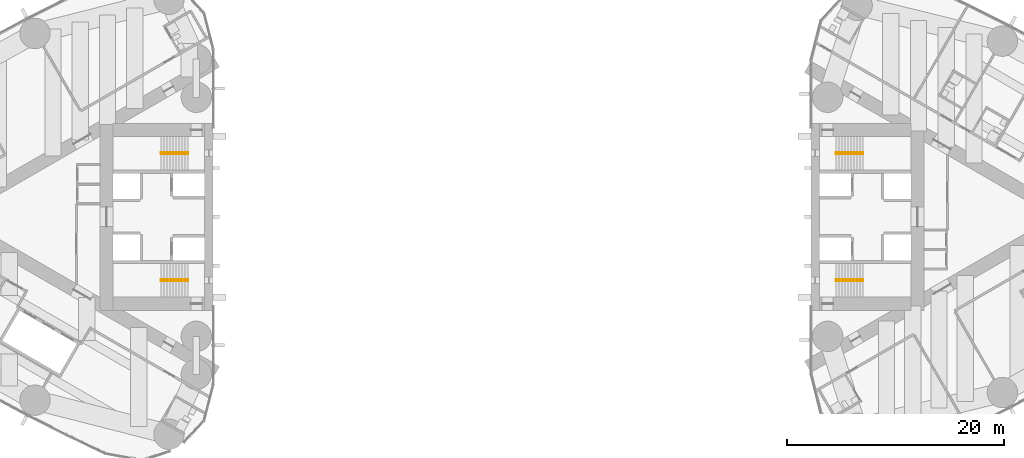
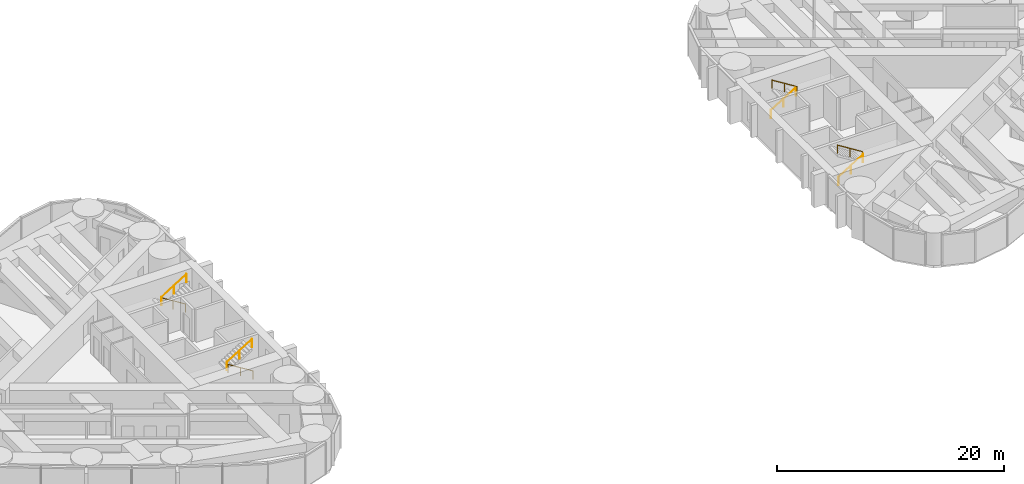
# One storey, part 17 of 18: 8 railings.
"""IFC4 building model written with IfcOpenShell, lengths in metres."""

from ifc_helpers import new_model, si_unit, direction, frame, origin, origin_2d, place, context, subcontext, project, spatial, circle, extrude, material, type_object, element, save


model = new_model("IFC4")

# Units and contexts
model_context = context("Model", 3, precision=1e-05, world=origin(), true_north=direction((0.0, 1.0)))
body_context = subcontext(model_context, "Body", "Model", "MODEL_VIEW")
ifc_project = project(units=[si_unit("LENGTHUNIT", "METRE"), si_unit("AREAUNIT", "SQUARE_METRE"), si_unit("VOLUMEUNIT", "CUBIC_METRE"), si_unit("PLANEANGLEUNIT", "RADIAN"), si_unit("MASSUNIT", "GRAM", prefix="KILO")], contexts=[model_context])

# Site, building, storey
site_placement = place(None, origin())
site = spatial("IfcSite", under=ifc_project, at=site_placement, CompositionType="ELEMENT")
building_placement = place(site_placement, origin())
building = spatial("IfcBuilding", under=site, at=building_placement, Name="Lancet Gate Hotel", CompositionType="ELEMENT")
storey_placement = place(building_placement, frame((0.0, 0.0, 166.800048828125)))
storey = spatial("IfcBuildingStorey", under=building, at=storey_placement, Name="L44", CompositionType="ELEMENT", Elevation=166.800048828125)

# Railings
ifc_material = material(Name="Stainless steel handrail", Category="steel")
railing_type = type_object("IfcRailingType", Name="Stair handrail 900", PredefinedType="HANDRAIL", material=ifc_material)
railing_1_placement = place(storey_placement, frame((-29.800048828125, 5.929931640625, 0.175048828125)))
element("IfcRailing", 1, at=railing_1_placement, inside=storey, type_object=railing_type, Name="ST1 handrail flight 1 L44", PredefinedType="HANDRAIL", context=body_context, shape_type="SweptSolid", body=[
    extrude(circle(Radius=0.02392578125, at=origin_2d()), frame((0.0, 0.0, 0.8759765625), z_axis=(-0.848007534815, 0.0, 0.529984170421), x_axis=(0.0, -1.0, 0.0)), (0.0, 0.0, 1.0), 2.9716796875),
    extrude(circle(Radius=0.02099609375, at=origin_2d()), origin(), (0.0, 0.0, 1.0), 0.851806640625),
    extrude(circle(Radius=0.02099609375, at=origin_2d()), frame((-1.260009765625, 0.0, 0.78759765625)), (0.0, 0.0, 1.0), 0.851806640625),
    extrude(circle(Radius=0.02099609375, at=origin_2d()), frame((-2.52001953125, 0.0, 1.574951171875)), (0.0, 0.0, 1.0), 0.851806640625),
])
railing_2_placement = place(storey_placement, frame((-32.320068359375, 5.77001953125, 1.925048828125)))
element("IfcRailing", 2, at=railing_2_placement, inside=storey, type_object=railing_type, Name="ST1 handrail flight 2 L44", PredefinedType="HANDRAIL", context=body_context, shape_type="SweptSolid", body=[
    extrude(circle(Radius=0.02392578125, at=origin_2d()), frame((0.0, 0.0, 0.8759765625), z_axis=(0.848007534815, 0.0, 0.529984170421), x_axis=(0.0, 1.0, 0.0)), (0.0, 0.0, 1.0), 2.9716796875),
    extrude(circle(Radius=0.02099609375, at=origin_2d()), origin(), (0.0, 0.0, 1.0), 0.851806640625),
    extrude(circle(Radius=0.02099609375, at=origin_2d()), frame((1.260009765625, 0.0, 0.78759765625)), (0.0, 0.0, 1.0), 0.851806640625),
    extrude(circle(Radius=0.02099609375, at=origin_2d()), frame((2.52001953125, 0.0, 1.574951171875)), (0.0, 0.0, 1.0), 0.851806640625),
])
railing_3_placement = place(storey_placement, frame((-29.800048828125, -5.929931640625, 0.175048828125)))
element("IfcRailing", 3, at=railing_3_placement, inside=storey, type_object=railing_type, Name="ST2 handrail flight 1 L44", PredefinedType="HANDRAIL", context=body_context, shape_type="SweptSolid", body=[
    extrude(circle(Radius=0.02392578125, at=origin_2d()), frame((0.0, 0.0, 0.8759765625), z_axis=(-0.848007534815, 0.0, 0.529984170421), x_axis=(0.0, -1.0, 0.0)), (0.0, 0.0, 1.0), 2.9716796875),
    extrude(circle(Radius=0.02099609375, at=origin_2d()), origin(), (0.0, 0.0, 1.0), 0.851806640625),
    extrude(circle(Radius=0.02099609375, at=origin_2d()), frame((-1.260009765625, 0.0, 0.78759765625)), (0.0, 0.0, 1.0), 0.851806640625),
    extrude(circle(Radius=0.02099609375, at=origin_2d()), frame((-2.52001953125, 0.0, 1.574951171875)), (0.0, 0.0, 1.0), 0.851806640625),
])
for number, where, name in (
    (4, (-32.320068359375, -5.77001953125, 1.925048828125), "ST2 handrail flight 2 L44"),
    (5, (29.800048828125, -5.929931640625, 0.175048828125), "ST3 handrail flight 1 L44"),
):
    element("IfcRailing", number, at=place(storey_placement, frame(where)), inside=storey, type_object=railing_type, Name=name, PredefinedType="HANDRAIL", context=body_context, shape_type="SweptSolid", body=[
        extrude(circle(Radius=0.02392578125, at=origin_2d()), frame((0.0, 0.0, 0.8759765625), z_axis=(0.848007534815, 0.0, 0.529984170421), x_axis=(0.0, 1.0, 0.0)), (0.0, 0.0, 1.0), 2.9716796875),
        extrude(circle(Radius=0.02099609375, at=origin_2d()), origin(), (0.0, 0.0, 1.0), 0.851806640625),
        extrude(circle(Radius=0.02099609375, at=origin_2d()), frame((1.260009765625, 0.0, 0.78759765625)), (0.0, 0.0, 1.0), 0.851806640625),
        extrude(circle(Radius=0.02099609375, at=origin_2d()), frame((2.52001953125, 0.0, 1.574951171875)), (0.0, 0.0, 1.0), 0.851806640625),
    ])
railing_4_placement = place(storey_placement, frame((32.320068359375, -5.77001953125, 1.925048828125)))
element("IfcRailing", 6, at=railing_4_placement, inside=storey, type_object=railing_type, Name="ST3 handrail flight 2 L44", PredefinedType="HANDRAIL", context=body_context, shape_type="SweptSolid", body=[
    extrude(circle(Radius=0.02392578125, at=origin_2d()), frame((0.0, 0.0, 0.8759765625), z_axis=(-0.848007534815, 0.0, 0.529984170421), x_axis=(0.0, -1.0, 0.0)), (0.0, 0.0, 1.0), 2.9716796875),
    extrude(circle(Radius=0.02099609375, at=origin_2d()), origin(), (0.0, 0.0, 1.0), 0.851806640625),
    extrude(circle(Radius=0.02099609375, at=origin_2d()), frame((-1.260009765625, 0.0, 0.78759765625)), (0.0, 0.0, 1.0), 0.851806640625),
    extrude(circle(Radius=0.02099609375, at=origin_2d()), frame((-2.52001953125, 0.0, 1.574951171875)), (0.0, 0.0, 1.0), 0.851806640625),
])
railing_5_placement = place(storey_placement, frame((29.800048828125, 5.929931640625, 0.175048828125)))
element("IfcRailing", 7, at=railing_5_placement, inside=storey, type_object=railing_type, Name="ST4 handrail flight 1 L44", PredefinedType="HANDRAIL", context=body_context, shape_type="SweptSolid", body=[
    extrude(circle(Radius=0.02392578125, at=origin_2d()), frame((0.0, 0.0, 0.8759765625), z_axis=(0.848007534815, 0.0, 0.529984170421), x_axis=(0.0, 1.0, 0.0)), (0.0, 0.0, 1.0), 2.9716796875),
    extrude(circle(Radius=0.02099609375, at=origin_2d()), origin(), (0.0, 0.0, 1.0), 0.851806640625),
    extrude(circle(Radius=0.02099609375, at=origin_2d()), frame((1.260009765625, 0.0, 0.78759765625)), (0.0, 0.0, 1.0), 0.851806640625),
    extrude(circle(Radius=0.02099609375, at=origin_2d()), frame((2.52001953125, 0.0, 1.574951171875)), (0.0, 0.0, 1.0), 0.851806640625),
])
railing_6_placement = place(storey_placement, frame((32.320068359375, 5.77001953125, 1.925048828125)))
element("IfcRailing", 8, at=railing_6_placement, inside=storey, type_object=railing_type, Name="ST4 handrail flight 2 L44", PredefinedType="HANDRAIL", context=body_context, shape_type="SweptSolid", body=[
    extrude(circle(Radius=0.02392578125, at=origin_2d()), frame((0.0, 0.0, 0.8759765625), z_axis=(-0.848007534815, 0.0, 0.529984170421), x_axis=(0.0, -1.0, 0.0)), (0.0, 0.0, 1.0), 2.9716796875),
    extrude(circle(Radius=0.02099609375, at=origin_2d()), origin(), (0.0, 0.0, 1.0), 0.851806640625),
    extrude(circle(Radius=0.02099609375, at=origin_2d()), frame((-1.260009765625, 0.0, 0.78759765625)), (0.0, 0.0, 1.0), 0.851806640625),
    extrude(circle(Radius=0.02099609375, at=origin_2d()), frame((-2.52001953125, 0.0, 1.574951171875)), (0.0, 0.0, 1.0), 0.851806640625),
])

save(model, "model.ifc")
